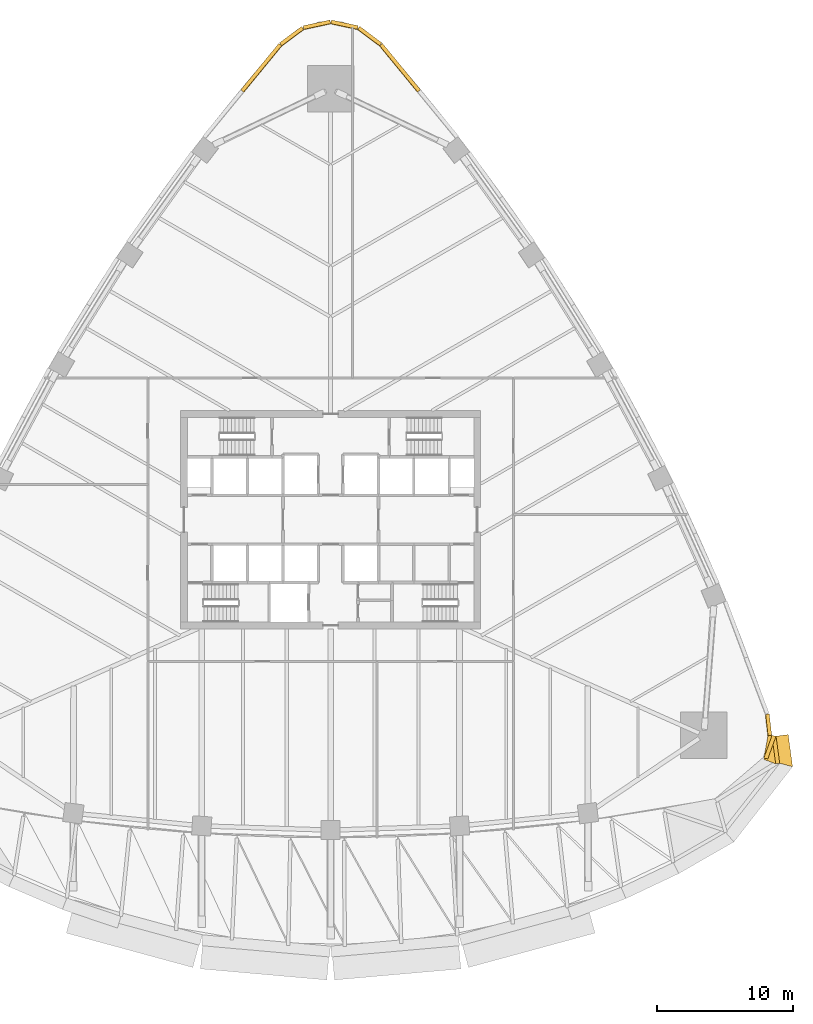
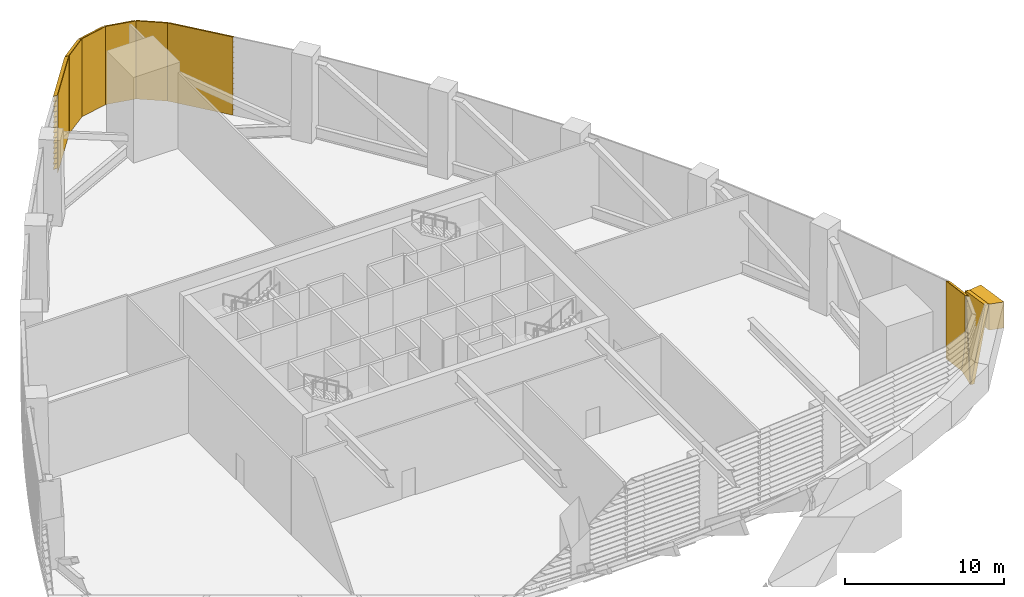
# One storey, part 15 of 15: 7 shading devices, 3 coverings.
"""IFC4 building model written with IfcOpenShell, lengths in metres."""

from ifc_helpers import new_model, si_unit, direction, frame, origin, place, context, subcontext, project, spatial, polyline, outline, extrude, material, layer, layer_set, type_object, element, save


model = new_model("IFC4")

# Units and contexts
model_context = context("Model", 3, precision=1e-05, world=origin(), true_north=direction((0.0, 1.0)))
body_context = subcontext(model_context, "Body", "Model", "MODEL_VIEW")
ifc_project = project(units=[si_unit("LENGTHUNIT", "METRE"), si_unit("AREAUNIT", "SQUARE_METRE"), si_unit("VOLUMEUNIT", "CUBIC_METRE"), si_unit("PLANEANGLEUNIT", "RADIAN"), si_unit("MASSUNIT", "GRAM", prefix="KILO")], contexts=[model_context])

# Site, building, storey
site_placement = place(None, origin())
site = spatial("IfcSite", under=ifc_project, at=site_placement, CompositionType="ELEMENT")
building_placement = place(site_placement, origin())
building = spatial("IfcBuilding", under=site, at=building_placement, Name="Sierra Prisma Convention Tower", CompositionType="ELEMENT")
storey_placement = place(building_placement, frame((0.0, 0.0, 34.199951171875)))
storey = spatial("IfcBuildingStorey", under=building, at=storey_placement, Name="L05", CompositionType="ELEMENT", Elevation=34.199951171875)

# Shading devices
ifc_material_1 = material(Name="Aluminium 6063-T6 bronze anodised", Category="aluminium")
shading_device_type = type_object("IfcShadingDeviceType", Name="Louvre bay bronze", PredefinedType="USERDEFINED", material=ifc_material_1)
shading_device_1_placement = place(storey_placement, frame((32.08203125, -16.26123046875, 0.0), z_axis=(0.113964622381, -0.993484808563, 0.0), x_axis=(0.0, 0.0, 1.0)))
element("IfcShadingDevice", 1, at=shading_device_1_placement, inside=storey, type_object=shading_device_type, Name="Louvre L05 SE4.1", ObjectType="LOUVRE", PredefinedType="USERDEFINED", context=body_context, shape_type="SweptSolid", body=[
    extrude(outline(polyline([(0.0, 0.0), (6.0, 0.0), (6.0, -0.029980627772955525), (5.97998046875, -0.029980627772955525), (5.860107421875, -0.3000488277316459), (5.830078125, -0.3000488277316459), (5.949951171875, -0.029980627772955525), (5.60009765625, -0.029980627772955525), (5.580078125, -0.029980627772955525), (5.4599609375, -0.3000488277316459), (5.429931640625, -0.3000488277316459), (5.550048828125, -0.029980627772955525), (5.199951171875, -0.029980627772955525), (5.179931640625, -0.029980627772955525), (5.06005859375, -0.3000488277316459), (5.030029296875, -0.3000488277316459), (5.150146484375, -0.029980627772955525), (4.800048828125, -0.029980627772955525), (4.780029296875, -0.029980627772955525), (4.66015625, -0.3000488277316459), (4.630126953125, -0.3000488277316459), (4.75, -0.029980627772955525), (4.400146484375, -0.029980627772955525), (4.380126953125, -0.029980627772955525), (4.260009765625, -0.3000488277316459), (4.22998046875, -0.3000488277316459), (4.35009765625, -0.029980627772955525), (4.0, -0.029980627772955525), (3.97998046875, -0.029980627772955525), (3.860107421875, -0.3000488277316459), (3.830078125, -0.3000488277316459), (3.949951171875, -0.029980627772955525), (3.60009765625, -0.029980627772955525), (3.580078125, -0.029980627772955525), (3.4599609375, -0.3000488277316459), (3.429931640625, -0.3000488277316459), (3.550048828125, -0.029980627772955525), (3.199951171875, -0.029980627772955525), (3.179931640625, -0.029980627772955525), (3.06005859375, -0.3000488277316459), (3.030029296875, -0.3000488277316459), (3.150146484375, -0.029980627772955525), (2.800048828125, -0.029980627772955525), (2.780029296875, -0.029980627772955525), (2.66015625, -0.3000488277316459), (2.630126953125, -0.3000488277316459), (2.75, -0.029980627772955525), (2.400146484375, -0.029980627772955525), (2.380126953125, -0.029980627772955525), (2.260009765625, -0.3000488277316459), (2.22998046875, -0.3000488277316459), (2.35009765625, -0.029980627772955525), (2.0, -0.029980627772955525), (1.97998046875, -0.029980627772955525), (1.860107421875, -0.3000488277316459), (1.830078125, -0.3000488277316459), (1.949951171875, -0.029980627772955525), (1.60009765625, -0.029980627772955525), (1.580078125, -0.029980627772955525), (1.4599609375, -0.3000488277316459), (1.429931640625, -0.3000488277316459), (1.550048828125, -0.029980627772955525), (1.199951171875, -0.029980627772955525), (1.179931640625, -0.029980627772955525), (1.06005859375, -0.3000488277316459), (1.030029296875, -0.3000488277316459), (1.150146484375, -0.029980627772955525), (0.800048828125, -0.029980627772955525), (0.780029296875, -0.029980627772955525), (0.66015625, -0.3000488277316459), (0.630126953125, -0.3000488277316459), (0.75, -0.029980627772955525), (0.400146484375, -0.029980627772955525), (0.380126953125, -0.029980627772955525), (0.260009765625, -0.3000488277316459), (0.22998046875, -0.3000488277316459), (0.35009765625, -0.029980627772955525), (0.0, -0.029980627772955525), (0.0, 0.0)])), origin(), (0.0, 0.0, -1.0), 2.00341796875),
])
shading_device_2_placement = place(storey_placement, frame((6.358642578125, 31.327392578125, 0.0), z_axis=(0.634744620987, -0.772721985017, 0.0), x_axis=(0.0, 0.0, 1.0)))
element("IfcShadingDevice", 2, at=shading_device_2_placement, inside=storey, type_object=shading_device_type, Name="Louvre L05 NE6.2", ObjectType="LOUVRE", PredefinedType="USERDEFINED", context=body_context, shape_type="SweptSolid", body=[
    extrude(outline(polyline([(0.0, 0.0), (6.0, 0.0), (6.0, -0.03000944067714053), (5.97998046875, -0.03000944067714053), (5.860107421875, -0.2999057539430321), (5.830078125, -0.2999057539430321), (5.949951171875, -0.03000944067714053), (5.60009765625, -0.03000944067714053), (5.580078125, -0.03000944067714053), (5.4599609375, -0.2999057539430321), (5.429931640625, -0.2999057539430321), (5.550048828125, -0.03000944067714053), (5.199951171875, -0.03000944067714053), (5.179931640625, -0.03000944067714053), (5.06005859375, -0.2999057539430321), (5.030029296875, -0.2999057539430321), (5.150146484375, -0.03000944067714053), (4.800048828125, -0.03000944067714053), (4.780029296875, -0.03000944067714053), (4.66015625, -0.2999057539430321), (4.630126953125, -0.2999057539430321), (4.75, -0.03000944067714053), (4.400146484375, -0.03000944067714053), (4.380126953125, -0.03000944067714053), (4.260009765625, -0.2999057539430321), (4.22998046875, -0.2999057539430321), (4.35009765625, -0.03000944067714053), (4.0, -0.03000944067714053), (3.97998046875, -0.03000944067714053), (3.860107421875, -0.2999057539430321), (3.830078125, -0.2999057539430321), (3.949951171875, -0.03000944067714053), (3.60009765625, -0.03000944067714053), (3.580078125, -0.03000944067714053), (3.4599609375, -0.2999057539430321), (3.429931640625, -0.2999057539430321), (3.550048828125, -0.03000944067714053), (3.199951171875, -0.03000944067714053), (3.179931640625, -0.03000944067714053), (3.06005859375, -0.2999057539430321), (3.030029296875, -0.2999057539430321), (3.150146484375, -0.03000944067714053), (2.800048828125, -0.03000944067714053), (2.780029296875, -0.03000944067714053), (2.66015625, -0.2999057539430321), (2.630126953125, -0.2999057539430321), (2.75, -0.03000944067714053), (2.400146484375, -0.03000944067714053), (2.380126953125, -0.03000944067714053), (2.260009765625, -0.2999057539430321), (2.22998046875, -0.2999057539430321), (2.35009765625, -0.03000944067714053), (2.0, -0.03000944067714053), (1.97998046875, -0.03000944067714053), (1.860107421875, -0.2999057539430321), (1.830078125, -0.2999057539430321), (1.949951171875, -0.03000944067714053), (1.60009765625, -0.03000944067714053), (1.580078125, -0.03000944067714053), (1.4599609375, -0.2999057539430321), (1.429931640625, -0.2999057539430321), (1.550048828125, -0.03000944067714053), (1.199951171875, -0.03000944067714053), (1.179931640625, -0.03000944067714053), (1.06005859375, -0.2999057539430321), (1.030029296875, -0.2999057539430321), (1.150146484375, -0.03000944067714053), (0.800048828125, -0.03000944067714053), (0.780029296875, -0.03000944067714053), (0.66015625, -0.2999057539430321), (0.630126953125, -0.2999057539430321), (0.75, -0.03000944067714053), (0.400146484375, -0.03000944067714053), (0.380126953125, -0.03000944067714053), (0.260009765625, -0.2999057539430321), (0.22998046875, -0.2999057539430321), (0.35009765625, -0.03000944067714053), (0.0, -0.03000944067714053), (0.0, 0.0)])), origin(), (0.0, 0.0, -1.0), 4.394287109375),
])
shading_device_3_placement = place(storey_placement, frame((3.568359375, 34.721923828125, 0.0), z_axis=(0.802101196532, -0.597188136622, 0.0), x_axis=(0.0, 0.0, 1.0)))
element("IfcShadingDevice", 3, at=shading_device_3_placement, inside=storey, type_object=shading_device_type, Name="Louvre L05 N1.1", ObjectType="LOUVRE", PredefinedType="USERDEFINED", context=body_context, shape_type="SweptSolid", body=[
    extrude(outline(polyline([(0.0, 0.0), (6.0, 0.0), (6.0, -0.030175766739914147), (5.97998046875, -0.030175766739914147), (5.860107421875, -0.30019963334493305), (5.830078125, -0.30019963334493305), (5.949951171875, -0.030175766739914147), (5.60009765625, -0.030175766739914147), (5.580078125, -0.030175766739914147), (5.4599609375, -0.30019963334493305), (5.429931640625, -0.30019963334493305), (5.550048828125, -0.030175766739914147), (5.199951171875, -0.030175766739914147), (5.179931640625, -0.030175766739914147), (5.06005859375, -0.30019963334493305), (5.030029296875, -0.30019963334493305), (5.150146484375, -0.030175766739914147), (4.800048828125, -0.030175766739914147), (4.780029296875, -0.030175766739914147), (4.66015625, -0.30019963334493305), (4.630126953125, -0.30019963334493305), (4.75, -0.030175766739914147), (4.400146484375, -0.030175766739914147), (4.380126953125, -0.030175766739914147), (4.260009765625, -0.30019963334493305), (4.22998046875, -0.30019963334493305), (4.35009765625, -0.030175766739914147), (4.0, -0.030175766739914147), (3.97998046875, -0.030175766739914147), (3.860107421875, -0.30019963334493305), (3.830078125, -0.30019963334493305), (3.949951171875, -0.030175766739914147), (3.60009765625, -0.030175766739914147), (3.580078125, -0.030175766739914147), (3.4599609375, -0.30019963334493305), (3.429931640625, -0.30019963334493305), (3.550048828125, -0.030175766739914147), (3.199951171875, -0.030175766739914147), (3.179931640625, -0.030175766739914147), (3.06005859375, -0.30019963334493305), (3.030029296875, -0.30019963334493305), (3.150146484375, -0.030175766739914147), (2.800048828125, -0.030175766739914147), (2.780029296875, -0.030175766739914147), (2.66015625, -0.30019963334493305), (2.630126953125, -0.30019963334493305), (2.75, -0.030175766739914147), (2.400146484375, -0.030175766739914147), (2.380126953125, -0.030175766739914147), (2.260009765625, -0.30019963334493305), (2.22998046875, -0.30019963334493305), (2.35009765625, -0.030175766739914147), (2.0, -0.030175766739914147), (1.97998046875, -0.030175766739914147), (1.860107421875, -0.30019963334493305), (1.830078125, -0.30019963334493305), (1.949951171875, -0.030175766739914147), (1.60009765625, -0.030175766739914147), (1.580078125, -0.030175766739914147), (1.4599609375, -0.30019963334493305), (1.429931640625, -0.30019963334493305), (1.550048828125, -0.030175766739914147), (1.199951171875, -0.030175766739914147), (1.179931640625, -0.030175766739914147), (1.06005859375, -0.30019963334493305), (1.030029296875, -0.30019963334493305), (1.150146484375, -0.030175766739914147), (0.800048828125, -0.030175766739914147), (0.780029296875, -0.030175766739914147), (0.66015625, -0.30019963334493305), (0.630126953125, -0.30019963334493305), (0.75, -0.030175766739914147), (0.400146484375, -0.030175766739914147), (0.380126953125, -0.030175766739914147), (0.260009765625, -0.30019963334493305), (0.22998046875, -0.30019963334493305), (0.35009765625, -0.030175766739914147), (0.0, -0.030175766739914147), (0.0, 0.0)])), origin(), (0.0, 0.0, -1.0), 2.00341796875),
])
shading_device_4_placement = place(storey_placement, frame((1.95849609375, 35.91455078125, 0.0), z_axis=(0.977414852763, -0.211329613632, 0.0), x_axis=(0.0, 0.0, 1.0)))
element("IfcShadingDevice", 4, at=shading_device_4_placement, inside=storey, type_object=shading_device_type, Name="Louvre L05 N2.1", ObjectType="LOUVRE", PredefinedType="USERDEFINED", context=body_context, shape_type="SweptSolid", body=[
    extrude(outline(polyline([(0.0, 0.0), (6.0, 0.0), (6.0, -0.029976648507328753), (5.97998046875, -0.029976648507328753), (5.860107421875, -0.2999535176023722), (5.830078125, -0.2999535176023722), (5.949951171875, -0.029976648507328753), (5.60009765625, -0.029976648507328753), (5.580078125, -0.029976648507328753), (5.4599609375, -0.2999535176023722), (5.429931640625, -0.2999535176023722), (5.550048828125, -0.029976648507328753), (5.199951171875, -0.029976648507328753), (5.179931640625, -0.029976648507328753), (5.06005859375, -0.2999535176023722), (5.030029296875, -0.2999535176023722), (5.150146484375, -0.029976648507328753), (4.800048828125, -0.029976648507328753), (4.780029296875, -0.029976648507328753), (4.66015625, -0.2999535176023722), (4.630126953125, -0.2999535176023722), (4.75, -0.029976648507328753), (4.400146484375, -0.029976648507328753), (4.380126953125, -0.029976648507328753), (4.260009765625, -0.2999535176023722), (4.22998046875, -0.2999535176023722), (4.35009765625, -0.029976648507328753), (4.0, -0.029976648507328753), (3.97998046875, -0.029976648507328753), (3.860107421875, -0.2999535176023722), (3.830078125, -0.2999535176023722), (3.949951171875, -0.029976648507328753), (3.60009765625, -0.029976648507328753), (3.580078125, -0.029976648507328753), (3.4599609375, -0.2999535176023722), (3.429931640625, -0.2999535176023722), (3.550048828125, -0.029976648507328753), (3.199951171875, -0.029976648507328753), (3.179931640625, -0.029976648507328753), (3.06005859375, -0.2999535176023722), (3.030029296875, -0.2999535176023722), (3.150146484375, -0.029976648507328753), (2.800048828125, -0.029976648507328753), (2.780029296875, -0.029976648507328753), (2.66015625, -0.2999535176023722), (2.630126953125, -0.2999535176023722), (2.75, -0.029976648507328753), (2.400146484375, -0.029976648507328753), (2.380126953125, -0.029976648507328753), (2.260009765625, -0.2999535176023722), (2.22998046875, -0.2999535176023722), (2.35009765625, -0.029976648507328753), (2.0, -0.029976648507328753), (1.97998046875, -0.029976648507328753), (1.860107421875, -0.2999535176023722), (1.830078125, -0.2999535176023722), (1.949951171875, -0.029976648507328753), (1.60009765625, -0.029976648507328753), (1.580078125, -0.029976648507328753), (1.4599609375, -0.2999535176023722), (1.429931640625, -0.2999535176023722), (1.550048828125, -0.029976648507328753), (1.199951171875, -0.029976648507328753), (1.179931640625, -0.029976648507328753), (1.06005859375, -0.2999535176023722), (1.030029296875, -0.2999535176023722), (1.150146484375, -0.029976648507328753), (0.800048828125, -0.029976648507328753), (0.780029296875, -0.029976648507328753), (0.66015625, -0.2999535176023722), (0.630126953125, -0.2999535176023722), (0.75, -0.029976648507328753), (0.400146484375, -0.029976648507328753), (0.380126953125, -0.029976648507328753), (0.260009765625, -0.2999535176023722), (0.22998046875, -0.2999535176023722), (0.35009765625, -0.029976648507328753), (0.0, -0.029976648507328753), (0.0, 0.0)])), origin(), (0.0, 0.0, -1.0), 2.00341796875),
])
shading_device_5_placement = place(storey_placement, frame((0.0, 36.3369140625, 0.0), z_axis=(0.977414852763, 0.211329613632, 0.0), x_axis=(0.0, 0.0, 1.0)))
element("IfcShadingDevice", 5, at=shading_device_5_placement, inside=storey, type_object=shading_device_type, Name="Louvre L05 N3.1", ObjectType="LOUVRE", PredefinedType="USERDEFINED", context=body_context, shape_type="SweptSolid", body=[
    extrude(outline(polyline([(0.0, 0.0), (6.0, 0.0), (6.0, -0.029976648507328753), (5.97998046875, -0.029976648507328753), (5.860107421875, -0.2999535176023722), (5.830078125, -0.2999535176023722), (5.949951171875, -0.029976648507328753), (5.60009765625, -0.029976648507328753), (5.580078125, -0.029976648507328753), (5.4599609375, -0.2999535176023722), (5.429931640625, -0.2999535176023722), (5.550048828125, -0.029976648507328753), (5.199951171875, -0.029976648507328753), (5.179931640625, -0.029976648507328753), (5.06005859375, -0.2999535176023722), (5.030029296875, -0.2999535176023722), (5.150146484375, -0.029976648507328753), (4.800048828125, -0.029976648507328753), (4.780029296875, -0.029976648507328753), (4.66015625, -0.2999535176023722), (4.630126953125, -0.2999535176023722), (4.75, -0.029976648507328753), (4.400146484375, -0.029976648507328753), (4.380126953125, -0.029976648507328753), (4.260009765625, -0.2999535176023722), (4.22998046875, -0.2999535176023722), (4.35009765625, -0.029976648507328753), (4.0, -0.029976648507328753), (3.97998046875, -0.029976648507328753), (3.860107421875, -0.2999535176023722), (3.830078125, -0.2999535176023722), (3.949951171875, -0.029976648507328753), (3.60009765625, -0.029976648507328753), (3.580078125, -0.029976648507328753), (3.4599609375, -0.2999535176023722), (3.429931640625, -0.2999535176023722), (3.550048828125, -0.029976648507328753), (3.199951171875, -0.029976648507328753), (3.179931640625, -0.029976648507328753), (3.06005859375, -0.2999535176023722), (3.030029296875, -0.2999535176023722), (3.150146484375, -0.029976648507328753), (2.800048828125, -0.029976648507328753), (2.780029296875, -0.029976648507328753), (2.66015625, -0.2999535176023722), (2.630126953125, -0.2999535176023722), (2.75, -0.029976648507328753), (2.400146484375, -0.029976648507328753), (2.380126953125, -0.029976648507328753), (2.260009765625, -0.2999535176023722), (2.22998046875, -0.2999535176023722), (2.35009765625, -0.029976648507328753), (2.0, -0.029976648507328753), (1.97998046875, -0.029976648507328753), (1.860107421875, -0.2999535176023722), (1.830078125, -0.2999535176023722), (1.949951171875, -0.029976648507328753), (1.60009765625, -0.029976648507328753), (1.580078125, -0.029976648507328753), (1.4599609375, -0.2999535176023722), (1.429931640625, -0.2999535176023722), (1.550048828125, -0.029976648507328753), (1.199951171875, -0.029976648507328753), (1.179931640625, -0.029976648507328753), (1.06005859375, -0.2999535176023722), (1.030029296875, -0.2999535176023722), (1.150146484375, -0.029976648507328753), (0.800048828125, -0.029976648507328753), (0.780029296875, -0.029976648507328753), (0.66015625, -0.2999535176023722), (0.630126953125, -0.2999535176023722), (0.75, -0.029976648507328753), (0.400146484375, -0.029976648507328753), (0.380126953125, -0.029976648507328753), (0.260009765625, -0.2999535176023722), (0.22998046875, -0.2999535176023722), (0.35009765625, -0.029976648507328753), (0.0, -0.029976648507328753), (0.0, 0.0)])), origin(), (0.0, 0.0, -1.0), 2.00341796875),
])
shading_device_6_placement = place(storey_placement, frame((-1.95849609375, 35.91455078125, 0.0), z_axis=(0.80269724956, 0.596386724826, 0.0), x_axis=(0.0, 0.0, 1.0)))
element("IfcShadingDevice", 6, at=shading_device_6_placement, inside=storey, type_object=shading_device_type, Name="Louvre L05 N4.1", ObjectType="LOUVRE", PredefinedType="USERDEFINED", context=body_context, shape_type="SweptSolid", body=[
    extrude(outline(polyline([(0.0, 0.0), (6.0, 0.0), (6.0, -0.0298341214280239), (5.97998046875, -0.0298341214280239), (5.860107421875, -0.29985861356533294), (5.830078125, -0.29985861356533294), (5.949951171875, -0.0298341214280239), (5.60009765625, -0.0298341214280239), (5.580078125, -0.0298341214280239), (5.4599609375, -0.29985861356533294), (5.429931640625, -0.29985861356533294), (5.550048828125, -0.0298341214280239), (5.199951171875, -0.0298341214280239), (5.179931640625, -0.0298341214280239), (5.06005859375, -0.29985861356533294), (5.030029296875, -0.29985861356533294), (5.150146484375, -0.0298341214280239), (4.800048828125, -0.0298341214280239), (4.780029296875, -0.0298341214280239), (4.66015625, -0.29985861356533294), (4.630126953125, -0.29985861356533294), (4.75, -0.0298341214280239), (4.400146484375, -0.0298341214280239), (4.380126953125, -0.0298341214280239), (4.260009765625, -0.29985861356533294), (4.22998046875, -0.29985861356533294), (4.35009765625, -0.0298341214280239), (4.0, -0.0298341214280239), (3.97998046875, -0.0298341214280239), (3.860107421875, -0.29985861356533294), (3.830078125, -0.29985861356533294), (3.949951171875, -0.0298341214280239), (3.60009765625, -0.0298341214280239), (3.580078125, -0.0298341214280239), (3.4599609375, -0.29985861356533294), (3.429931640625, -0.29985861356533294), (3.550048828125, -0.0298341214280239), (3.199951171875, -0.0298341214280239), (3.179931640625, -0.0298341214280239), (3.06005859375, -0.29985861356533294), (3.030029296875, -0.29985861356533294), (3.150146484375, -0.0298341214280239), (2.800048828125, -0.0298341214280239), (2.780029296875, -0.0298341214280239), (2.66015625, -0.29985861356533294), (2.630126953125, -0.29985861356533294), (2.75, -0.0298341214280239), (2.400146484375, -0.0298341214280239), (2.380126953125, -0.0298341214280239), (2.260009765625, -0.29985861356533294), (2.22998046875, -0.29985861356533294), (2.35009765625, -0.0298341214280239), (2.0, -0.0298341214280239), (1.97998046875, -0.0298341214280239), (1.860107421875, -0.29985861356533294), (1.830078125, -0.29985861356533294), (1.949951171875, -0.0298341214280239), (1.60009765625, -0.0298341214280239), (1.580078125, -0.0298341214280239), (1.4599609375, -0.29985861356533294), (1.429931640625, -0.29985861356533294), (1.550048828125, -0.0298341214280239), (1.199951171875, -0.0298341214280239), (1.179931640625, -0.0298341214280239), (1.06005859375, -0.29985861356533294), (1.030029296875, -0.29985861356533294), (1.150146484375, -0.0298341214280239), (0.800048828125, -0.0298341214280239), (0.780029296875, -0.0298341214280239), (0.66015625, -0.29985861356533294), (0.630126953125, -0.29985861356533294), (0.75, -0.0298341214280239), (0.400146484375, -0.0298341214280239), (0.380126953125, -0.0298341214280239), (0.260009765625, -0.29985861356533294), (0.22998046875, -0.29985861356533294), (0.35009765625, -0.0298341214280239), (0.0, -0.0298341214280239), (0.0, 0.0)])), origin(), (0.0, 0.0, -1.0), 2.00341796875),
])
shading_device_7_placement = place(storey_placement, frame((-3.568359375, 34.721923828125, 0.0), z_axis=(0.634783453235, 0.772690085027, 0.0), x_axis=(0.0, 0.0, 1.0)))
element("IfcShadingDevice", 7, at=shading_device_7_placement, inside=storey, type_object=shading_device_type, Name="Louvre L05 NW1.1", ObjectType="LOUVRE", PredefinedType="USERDEFINED", context=body_context, shape_type="SweptSolid", body=[
    extrude(outline(polyline([(0.0, 0.0), (6.0, 0.0), (6.0, -0.030009440290501954), (5.97998046875, -0.030009440290501954), (5.860107421875, -0.30024937933403195), (5.830078125, -0.30024937933403195), (5.949951171875, -0.030009440290501954), (5.60009765625, -0.030009440290501954), (5.580078125, -0.030009440290501954), (5.4599609375, -0.30024937933403195), (5.429931640625, -0.30024937933403195), (5.550048828125, -0.030009440290501954), (5.199951171875, -0.030009440290501954), (5.179931640625, -0.030009440290501954), (5.06005859375, -0.30024937933403195), (5.030029296875, -0.30024937933403195), (5.150146484375, -0.030009440290501954), (4.800048828125, -0.030009440290501954), (4.780029296875, -0.030009440290501954), (4.66015625, -0.30024937933403195), (4.630126953125, -0.30024937933403195), (4.75, -0.030009440290501954), (4.400146484375, -0.030009440290501954), (4.380126953125, -0.030009440290501954), (4.260009765625, -0.30024937933403195), (4.22998046875, -0.30024937933403195), (4.35009765625, -0.030009440290501954), (4.0, -0.030009440290501954), (3.97998046875, -0.030009440290501954), (3.860107421875, -0.30024937933403195), (3.830078125, -0.30024937933403195), (3.949951171875, -0.030009440290501954), (3.60009765625, -0.030009440290501954), (3.580078125, -0.030009440290501954), (3.4599609375, -0.30024937933403195), (3.429931640625, -0.30024937933403195), (3.550048828125, -0.030009440290501954), (3.199951171875, -0.030009440290501954), (3.179931640625, -0.030009440290501954), (3.06005859375, -0.30024937933403195), (3.030029296875, -0.30024937933403195), (3.150146484375, -0.030009440290501954), (2.800048828125, -0.030009440290501954), (2.780029296875, -0.030009440290501954), (2.66015625, -0.30024937933403195), (2.630126953125, -0.30024937933403195), (2.75, -0.030009440290501954), (2.400146484375, -0.030009440290501954), (2.380126953125, -0.030009440290501954), (2.260009765625, -0.30024937933403195), (2.22998046875, -0.30024937933403195), (2.35009765625, -0.030009440290501954), (2.0, -0.030009440290501954), (1.97998046875, -0.030009440290501954), (1.860107421875, -0.30024937933403195), (1.830078125, -0.30024937933403195), (1.949951171875, -0.030009440290501954), (1.60009765625, -0.030009440290501954), (1.580078125, -0.030009440290501954), (1.4599609375, -0.30024937933403195), (1.429931640625, -0.30024937933403195), (1.550048828125, -0.030009440290501954), (1.199951171875, -0.030009440290501954), (1.179931640625, -0.030009440290501954), (1.06005859375, -0.30024937933403195), (1.030029296875, -0.30024937933403195), (1.150146484375, -0.030009440290501954), (0.800048828125, -0.030009440290501954), (0.780029296875, -0.030009440290501954), (0.66015625, -0.30024937933403195), (0.630126953125, -0.30024937933403195), (0.75, -0.030009440290501954), (0.400146484375, -0.030009440290501954), (0.380126953125, -0.030009440290501954), (0.260009765625, -0.30024937933403195), (0.22998046875, -0.30024937933403195), (0.35009765625, -0.030009440290501954), (0.0, -0.030009440290501954), (0.0, 0.0)])), origin(), (0.0, 0.0, -1.0), 4.394287109375),
])

# Coverings
ifc_material_2 = material(Name="Aluminium composite bronze anodised", Category="aluminium")
ifc_layer_1 = layer(ifc_material_2, 0.89990234375)
ifc_layer_set_1 = layer_set([ifc_layer_1], Name="Overhang fascia")
covering_type_1 = type_object("IfcCoveringType", Name="Overhang fascia", PredefinedType="CLADDING", material=ifc_layer_set_1)
covering_1_placement = place(storey_placement, frame((0.0, 0.0, 4.0)))
element("IfcCovering", 8, at=covering_1_placement, inside=storey, type_object=covering_type_1, Name="Overhang fascia 18", PredefinedType="CLADDING", context=body_context, shape_type="SweptSolid", body=[
    extrude(outline(polyline([(32.915771484375, -17.845947265625), (32.6455078125, -15.865478515625), (33.537109375, -15.743896484375), (33.858642578125, -18.1005859375), (32.915771484375, -17.845947265625)])), origin(), (0.0, 0.0, 1.0), 2.0),
])
ifc_material_3 = material(Name="Aluminium composite bronze anodised", Category="aluminium")
ifc_layer_2 = layer(ifc_material_3, 0.300048828125)
ifc_layer_set_2 = layer_set([ifc_layer_2], Name="Soffit panel bronze")
covering_type_2 = type_object("IfcCoveringType", Name="Soffit panel bronze", PredefinedType="CLADDING", material=ifc_layer_set_2)
covering_2_placement = place(storey_placement, frame((32.045654296875, -17.52490234375, 0.0), z_axis=(0.982050211895, -0.182485772532, -0.047710838815), x_axis=(0.182693826182, 0.983169856065, 0.0)))
element("IfcCovering", 9, at=covering_2_placement, inside=storey, type_object=covering_type_2, Name="Soffit panel 35", PredefinedType="CLADDING", context=body_context, shape_type="SweptSolid", body=[
    extrude(outline(polyline([(0.0, 0.0), (1.6918033723920003, 0.0), (1.7410850201668508, 6.006840653297481), (0.0, 0.0)])), origin(), (0.0, 0.0, -1.0), 0.300048828125),
])
covering_3_placement = place(storey_placement, frame((32.045654296875, -17.52490234375, 0.0), z_axis=(0.981719416764, 0.133969846444, -0.135200099824), x_axis=(0.095913955961, 0.265334618912, 0.959373781724)))
element("IfcCovering", 10, at=covering_3_placement, inside=storey, type_object=covering_type_2, Name="Soffit panel 36", PredefinedType="CLADDING", context=body_context, shape_type="SweptSolid", body=[
    extrude(outline(polyline([(0.0, 0.0), (6.254079603071638, 2.220446049250313e-16), (5.7545147399457335, 1.9353898495114408), (0.0, 0.0)])), origin(), (0.0, 0.0, -1.0), 0.300048828125),
])

save(model, "model.ifc")
